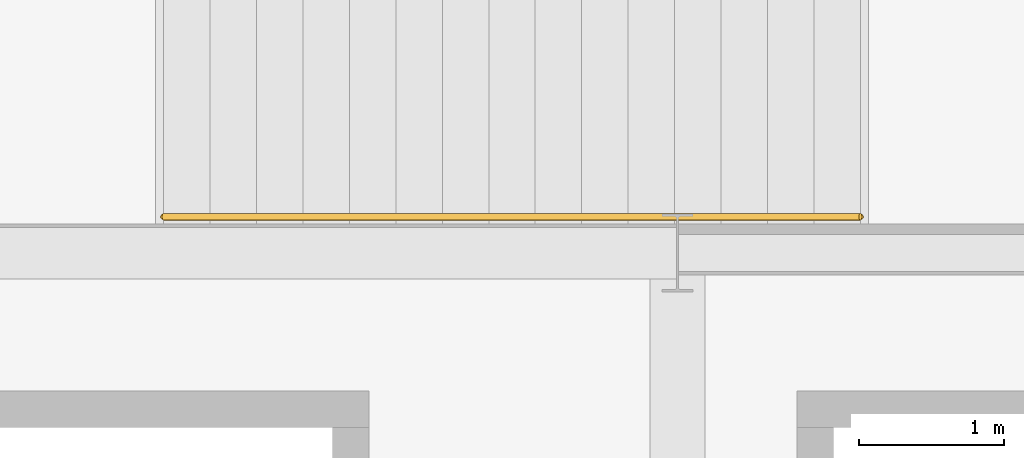
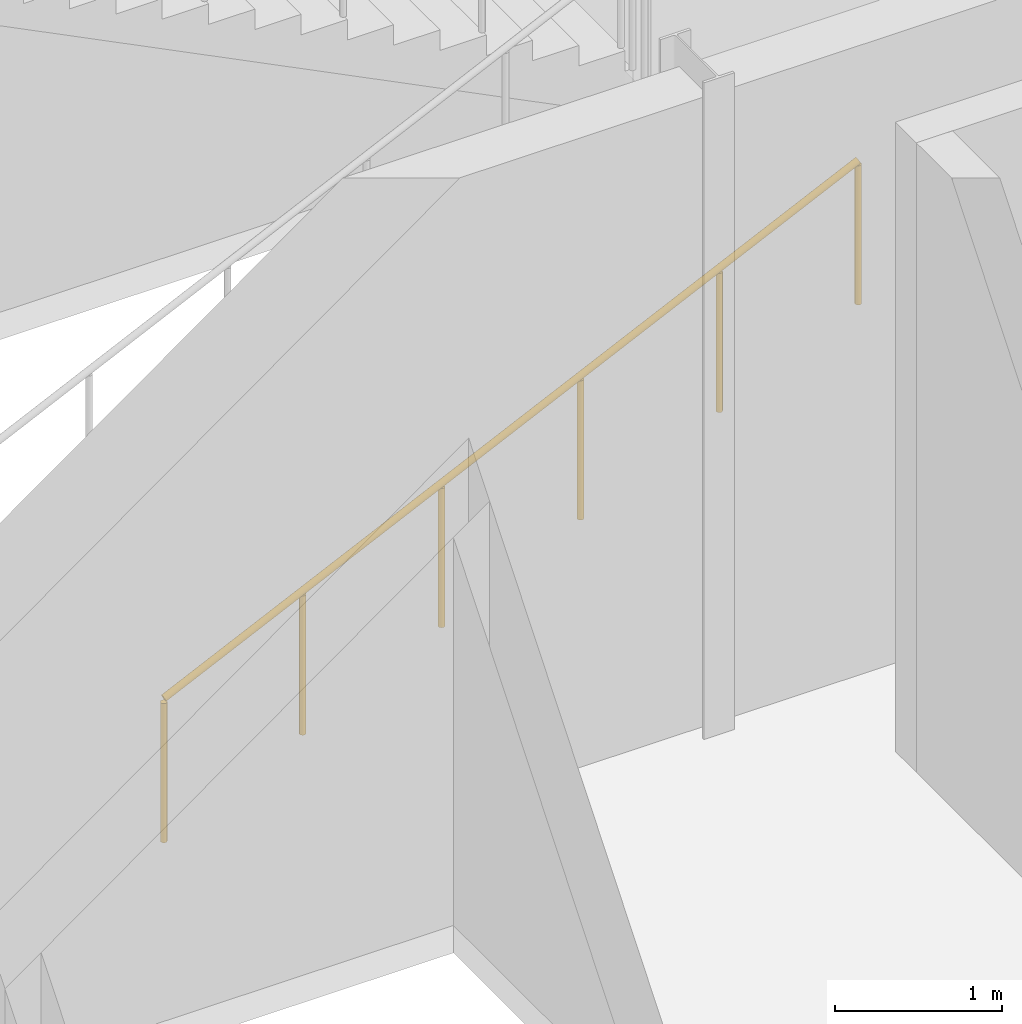
# One storey, part 64 of 69: 1 railing.
"""IFC4 building model written with IfcOpenShell, lengths in metres."""

from ifc_helpers import new_model, si_unit, direction, frame, origin, origin_2d, place, context, subcontext, project, spatial, circle, extrude, material, type_object, element, save


model = new_model("IFC4")

# Units and contexts
model_context = context("Model", 3, precision=1e-05, world=origin(), true_north=direction((0.0, 1.0)))
body_context = subcontext(model_context, "Body", "Model", "MODEL_VIEW")
ifc_project = project(units=[si_unit("LENGTHUNIT", "METRE"), si_unit("AREAUNIT", "SQUARE_METRE"), si_unit("VOLUMEUNIT", "CUBIC_METRE"), si_unit("PLANEANGLEUNIT", "RADIAN"), si_unit("MASSUNIT", "GRAM", prefix="KILO")], contexts=[model_context])

# Site, building, storey
site_placement = place(None, origin())
site = spatial("IfcSite", under=ifc_project, at=site_placement, CompositionType="ELEMENT")
building_placement = place(site_placement, origin())
building = spatial("IfcBuilding", under=site, at=building_placement, Name="Qamarlyn Nura Convention Centre", CompositionType="ELEMENT")
storey_placement = place(building_placement, frame((0.0, 0.0, 15.60009765625)))
storey = spatial("IfcBuildingStorey", under=building, at=storey_placement, Name="L03", CompositionType="ELEMENT", Elevation=15.60009765625)

# Railing
ifc_material = material(Name="Marine Grade 316 stainless steel", Category="steel")
railing_type = type_object("IfcRailingType", Name="HRL-STAIR-090", PredefinedType="HANDRAIL", material=ifc_material)
railing_placement = place(storey_placement, frame((182.4599609375, 63.25, 0.30224609375)))
element("IfcRailing", 1, at=railing_placement, inside=storey, type_object=railing_type, Name="L03 ST-13 stair handrail 1", PredefinedType="HANDRAIL", context=body_context, shape_type="SweptSolid", body=[
    extrude(circle(Radius=0.02392578125, at=origin_2d()), frame((0.0, 0.0, 0.88818359375), z_axis=(0.90546059521, 0.0, 0.424430336476), x_axis=(0.0, 1.0, 0.0)), (0.0, 0.0, 1.0), 5.30126953125),
    extrude(circle(Radius=0.02099609375, at=origin_2d()), frame((0.0, 0.0, -0.155029296875)), (0.0, 0.0, 1.0), 1.01708984375),
    extrude(circle(Radius=0.02099609375, at=origin_2d()), frame((0.9599609375, 0.0, 0.294921875)), (0.0, 0.0, 1.0), 1.01708984375),
    extrude(circle(Radius=0.02099609375, at=origin_2d()), frame((1.919921875, 0.0, 0.744873046875)), (0.0, 0.0, 1.0), 1.01708984375),
    extrude(circle(Radius=0.02099609375, at=origin_2d()), frame((2.880126953125, 0.0, 1.195068359375)), (0.0, 0.0, 1.0), 1.01708984375),
    extrude(circle(Radius=0.02099609375, at=origin_2d()), frame((3.840087890625, 0.0, 1.64501953125)), (0.0, 0.0, 1.0), 1.01708984375),
    extrude(circle(Radius=0.02099609375, at=origin_2d()), frame((4.800048828125, 0.0, 2.094970703125)), (0.0, 0.0, 1.0), 1.01708984375),
])

save(model, "model.ifc")
